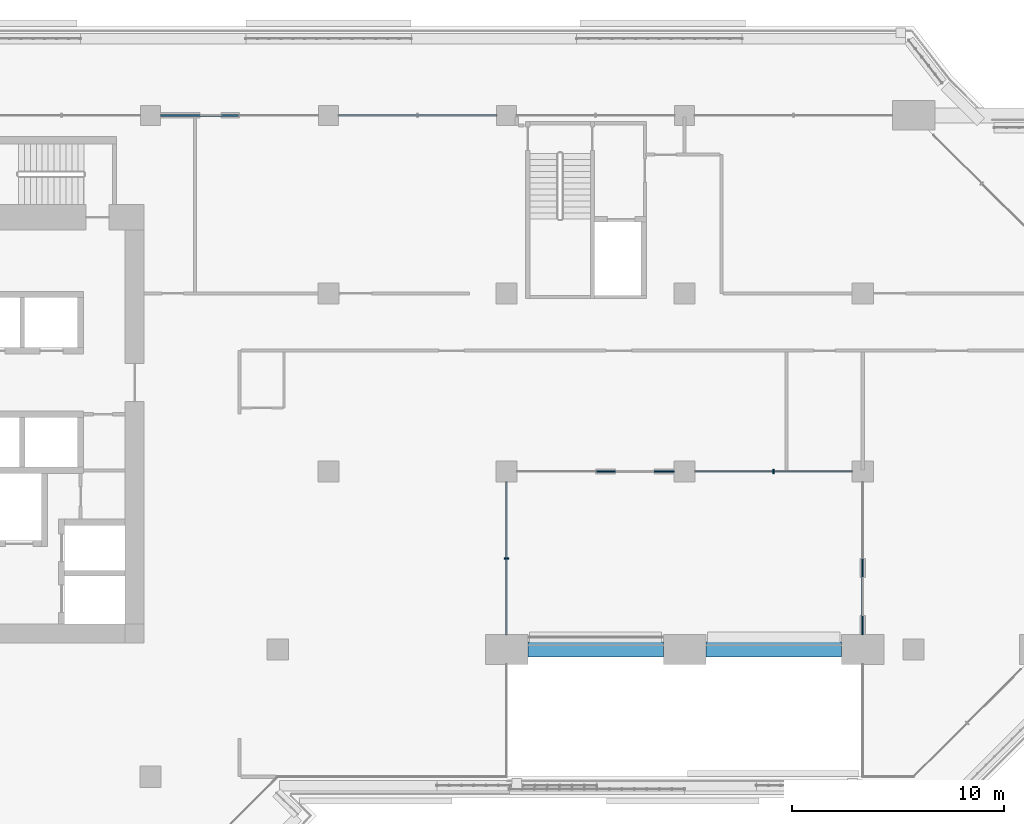
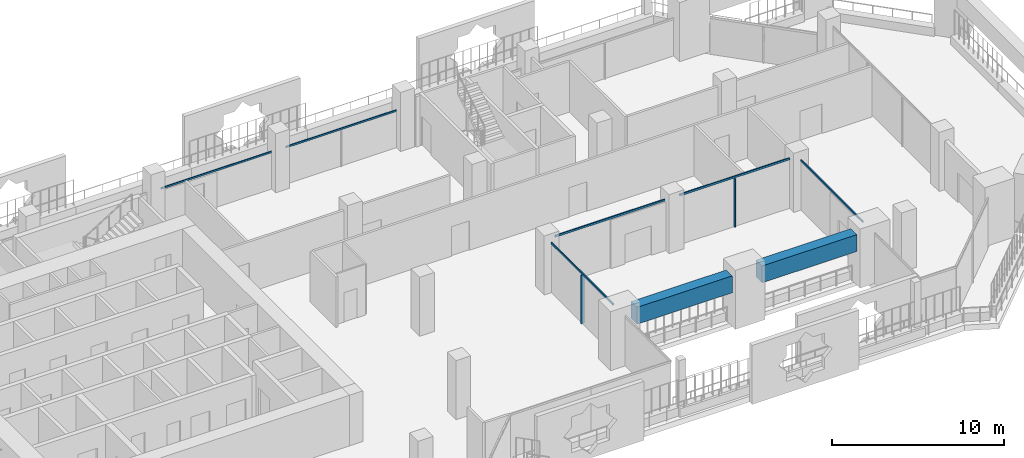
# One storey, part 6 of 23: 8 members, 2 beams, 4 elements without a shape of their own.
"""IFC4 building model written with IfcOpenShell, lengths in metres."""

from ifc_helpers import new_model, si_unit, direction, frame, origin, origin_2d, place, context, subcontext, project, spatial, rectangle, extrude, material, layer, layer_set, material_profile, profile_set, type_object, element, aggregate, save


model = new_model("IFC4")

# Units and contexts
model_context = context("Model", 3, precision=1e-05, world=origin(), true_north=direction((0.0, 1.0)))
body_context = subcontext(model_context, "Body", "Model", "MODEL_VIEW")
ifc_project = project(units=[si_unit("LENGTHUNIT", "METRE"), si_unit("AREAUNIT", "SQUARE_METRE"), si_unit("VOLUMEUNIT", "CUBIC_METRE"), si_unit("PLANEANGLEUNIT", "RADIAN"), si_unit("MASSUNIT", "GRAM", prefix="KILO")], contexts=[model_context])

# Site, building, storey
site_placement = place(None, origin())
site = spatial("IfcSite", under=ifc_project, at=site_placement, CompositionType="ELEMENT")
building_placement = place(site_placement, origin())
building = spatial("IfcBuilding", under=site, at=building_placement, Name="Kawkab Arch Medical Tower", CompositionType="ELEMENT")
storey_placement = place(building_placement, frame((0.0, 0.0, 158.39990234375)))
storey = spatial("IfcBuildingStorey", under=building, at=storey_placement, Name="L36", CompositionType="ELEMENT", Elevation=158.39990234375)

# Curtain wall, members
ifc_material_1 = material(Name="Bronze anodised aluminium curtain wall frame", Category="aluminium")
ifc_layer_1 = layer(ifc_material_1, 0.159912109375)
ifc_layer_set_1 = layer_set([ifc_layer_1], Name="Bronze anodised aluminium curtain wall frame")
curtain_wall_type_1 = type_object("IfcCurtainWallType", Name="CW1 ward curtain wall", PredefinedType="NOTDEFINED", material=ifc_layer_set_1)
placement = place(storey_placement, origin())
curtain_wall_1 = element("IfcCurtainWall", 1, at=placement, inside=storey, type_object=curtain_wall_type_1, Name="CW1 Ward curtain wall R09", PredefinedType="NOTDEFINED")
ifc_material_2 = material(Name="Bronze anodised aluminium curtain wall frame", Category="aluminium")
ifc_material_profile_1 = material_profile(ifc_material_2, rectangle(XDim=0.06005859375, YDim=0.1201171875, at=origin_2d()), Name="AL 60x120")
ifc_profile_set_1 = profile_set([ifc_material_profile_1], Name="Bronze anodised aluminium curtain wall frame")
member_type_1 = type_object("IfcMemberType", Name="CW1 transom 120 x 60", PredefinedType="USERDEFINED", material=ifc_profile_set_1)
member_1_placement = place(storey_placement, frame((41.52490234375, 0.0, 2.64013671875), z_axis=(-1.0, 0.0, 0.0), x_axis=(0.0, -1.0, 0.0)))
member_1 = element("IfcMember", 2, at=member_1_placement, type_object=member_type_1, Name="CW1 transom 3", ObjectType="TRANSOM", PredefinedType="USERDEFINED", context=body_context, shape_type="SweptSolid", body=[
    extrude(rectangle(XDim=0.06005859375, YDim=0.1201171875, at=origin_2d()), origin(), (0.0, 0.0, 1.0), 7.449951171875),
])
member_2_placement = place(storey_placement, frame((33.125, 0.0, 2.64013671875), z_axis=(-1.0, 0.0, 0.0), x_axis=(0.0, -1.0, 0.0)))
member_2 = element("IfcMember", 3, at=member_2_placement, type_object=member_type_1, Name="CW1 transom 4", ObjectType="TRANSOM", PredefinedType="USERDEFINED", context=body_context, shape_type="SweptSolid", body=[
    extrude(rectangle(XDim=0.06005859375, YDim=0.1201171875, at=origin_2d()), origin(), (0.0, 0.0, 1.0), 7.449951171875),
])
aggregate(curtain_wall_1, [member_1, member_2])

# Curtain wall, member
ifc_material_3 = material(Name="Bronze anodised aluminium curtain wall frame", Category="aluminium")
ifc_layer_2 = layer(ifc_material_3, 0.159912109375)
ifc_layer_set_2 = layer_set([ifc_layer_2], Name="Bronze anodised aluminium curtain wall frame")
curtain_wall_type_2 = type_object("IfcCurtainWallType", Name="CW3 sky garden curtain wall", PredefinedType="NOTDEFINED", material=ifc_layer_set_2)
curtain_wall_2 = element("IfcCurtainWall", 4, at=placement, inside=storey, type_object=curtain_wall_type_2, Name="CW3 Sky garden curtain wall R02", PredefinedType="NOTDEFINED")
ifc_material_4 = material(Name="Bronze anodised aluminium curtain wall frame", Category="aluminium")
ifc_material_profile_2 = material_profile(ifc_material_4, rectangle(XDim=0.219970703125, YDim=0.070068359375, at=origin_2d()), Name="AL 70x220")
ifc_profile_set_2 = profile_set([ifc_material_profile_2], Name="Bronze anodised aluminium curtain wall frame")
member_type_2 = type_object("IfcMemberType", Name="CW3 mullion 70 x 220", PredefinedType="MULLION", material=ifc_profile_set_2)
member_3_placement = place(storey_placement, frame((42.0, -20.89990234375, 0.0), z_axis=(0.0, 0.0, 1.0), x_axis=(-1.0, 0.0, 0.0)))
member_3 = element("IfcMember", 5, at=member_3_placement, type_object=member_type_2, Name="CW3 mullion 2.1", PredefinedType="MULLION", context=body_context, shape_type="SweptSolid", body=[
    extrude(rectangle(XDim=0.219970703125, YDim=0.070068359375, at=origin_2d()), origin(), (0.0, 0.0, 1.0), 3.460205078125),
])

curtain_wall_3 = element("IfcCurtainWall", 6, at=placement, inside=storey, type_object=curtain_wall_type_2, Name="CW3 Sky garden curtain wall R03", PredefinedType="NOTDEFINED")
member_4_placement = place(storey_placement, frame((54.60009765625, -16.800048828125, 0.0), z_axis=(0.0, 0.0, 1.0), x_axis=(0.0, 1.0, 0.0)))
member_4 = element("IfcMember", 7, at=member_4_placement, type_object=member_type_2, Name="CW3 mullion 2.1", PredefinedType="MULLION", context=body_context, shape_type="SweptSolid", body=[
    extrude(rectangle(XDim=0.219970703125, YDim=0.070068359375, at=origin_2d()), origin(), (0.0, 0.0, 1.0), 3.460205078125),
])

# Member
ifc_material_5 = material(Name="Bronze anodised aluminium curtain wall frame", Category="aluminium")
ifc_material_profile_3 = material_profile(ifc_material_5, rectangle(XDim=0.070068359375, YDim=0.139892578125, at=origin_2d()), Name="AL 70x140")
ifc_profile_set_3 = profile_set([ifc_material_profile_3], Name="Bronze anodised aluminium curtain wall frame")
member_type_3 = type_object("IfcMemberType", Name="CW3 transom 140 x 70", PredefinedType="USERDEFINED", material=ifc_profile_set_3)
member_5_placement = place(storey_placement, frame((42.0, -24.5, 3.530029296875), z_axis=(0.0, 1.0, 0.0), x_axis=(-1.0, 0.0, 0.0)))
member_5 = element("IfcMember", 8, at=member_5_placement, type_object=member_type_3, Name="CW3 transom 2", ObjectType="TRANSOM", PredefinedType="USERDEFINED", context=body_context, shape_type="SweptSolid", body=[
    extrude(rectangle(XDim=0.070068359375, YDim=0.139892578125, at=origin_2d()), origin(), (0.0, 0.0, 1.0), 7.199951171875),
])

aggregate(curtain_wall_2, [member_5, member_3])

member_6_placement = place(storey_placement, frame((42.5, -16.800048828125, 3.530029296875), z_axis=(1.0, 0.0, 0.0), x_axis=(0.0, 1.0, 0.0)))
member_6 = element("IfcMember", 9, at=member_6_placement, type_object=member_type_3, Name="CW3 transom 1", ObjectType="TRANSOM", PredefinedType="USERDEFINED", context=body_context, shape_type="SweptSolid", body=[
    extrude(rectangle(XDim=0.070068359375, YDim=0.139892578125, at=origin_2d()), origin(), (0.0, 0.0, 1.0), 7.39990234375),
])

member_7_placement = place(storey_placement, frame((50.89990234375, -16.800048828125, 3.530029296875), z_axis=(1.0, 0.0, 0.0), x_axis=(0.0, 1.0, 0.0)))
member_7 = element("IfcMember", 10, at=member_7_placement, type_object=member_type_3, Name="CW3 transom 2", ObjectType="TRANSOM", PredefinedType="USERDEFINED", context=body_context, shape_type="SweptSolid", body=[
    extrude(rectangle(XDim=0.070068359375, YDim=0.139892578125, at=origin_2d()), origin(), (0.0, 0.0, 1.0), 7.400146484375),
])

aggregate(curtain_wall_3, [member_6, member_7, member_4])

# Curtain wall, member
curtain_wall_4 = element("IfcCurtainWall", 11, at=placement, inside=storey, type_object=curtain_wall_type_2, Name="CW3 Sky garden curtain wall R04", PredefinedType="NOTDEFINED")
member_8_placement = place(storey_placement, frame((58.800048828125, -17.300048828125, 3.530029296875), z_axis=(0.0, -1.0, 0.0), x_axis=(1.0, 0.0, 0.0)))
member_8 = element("IfcMember", 12, at=member_8_placement, type_object=member_type_3, Name="CW3 transom 1", ObjectType="TRANSOM", PredefinedType="USERDEFINED", context=body_context, shape_type="SweptSolid", body=[
    extrude(rectangle(XDim=0.070068359375, YDim=0.139892578125, at=origin_2d()), origin(), (0.0, 0.0, 1.0), 7.199951171875),
])
aggregate(curtain_wall_4, [member_8])

# Beams
ifc_material_6 = material(Name="Concrete C50/60", Category="concrete")
ifc_material_profile_4 = material_profile(ifc_material_6, rectangle(XDim=0.699951171875, YDim=1.199951171875, at=origin_2d()), Name="RC 700x1200")
ifc_profile_set_4 = profile_set([ifc_material_profile_4], Name="Concrete C50/60")
beam_type = type_object("IfcBeamType", Name="RC 700x1200 beam C50/60", PredefinedType="BEAM", material=ifc_profile_set_4)
beam_1_placement = place(storey_placement, frame((57.800048828125, -25.199951171875, 3.0), z_axis=(-1.0, 0.0, 0.0), x_axis=(0.0, -1.0, 0.0)))
element("IfcBeam", 13, at=beam_1_placement, inside=storey, type_object=beam_type, Name="Terrace frame beam TF-L36-2-L37-01", PredefinedType="BEAM", context=body_context, shape_type="SweptSolid", body=[
    extrude(rectangle(XDim=0.699951171875, YDim=1.199951171875, at=origin_2d()), origin(), (0.0, 0.0, 1.0), 6.400146484375),
])
beam_2_placement = place(storey_placement, frame((49.39990234375, -25.199951171875, 3.0), z_axis=(-1.0, 0.0, 0.0), x_axis=(0.0, -1.0, 0.0)))
element("IfcBeam", 14, at=beam_2_placement, inside=storey, type_object=beam_type, Name="Terrace frame beam TF-L36-2-L37-02", PredefinedType="BEAM", context=body_context, shape_type="SweptSolid", body=[
    extrude(rectangle(XDim=0.699951171875, YDim=1.199951171875, at=origin_2d()), origin(), (0.0, 0.0, 1.0), 6.39990234375),
])

save(model, "model.ifc")
